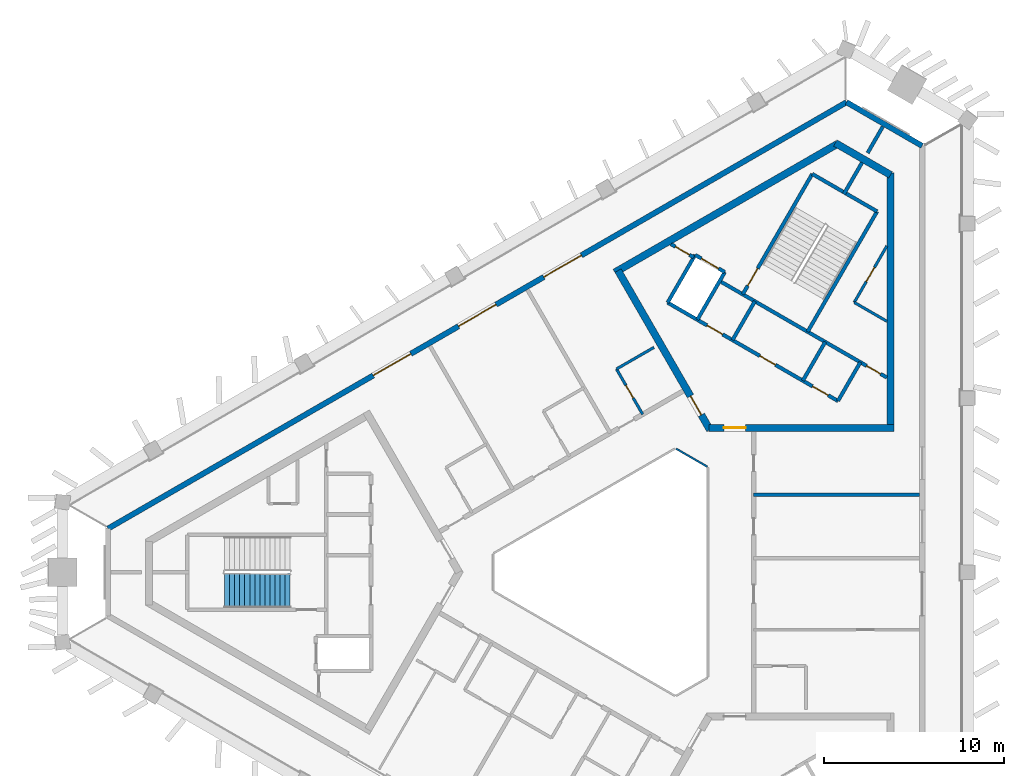
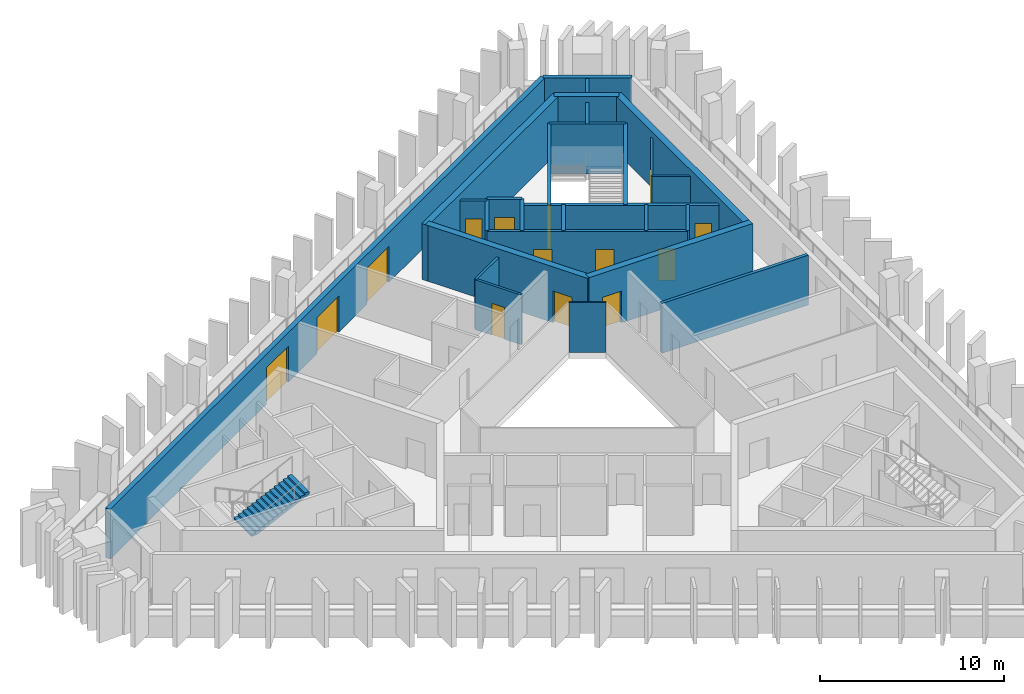
# One storey, part 5 of 9: 27 walls, 14 doors, 1 stair flight, 14 openings, 1 element without a shape of its own.
"""IFC4 building model written with IfcOpenShell, lengths in metres."""

from ifc_helpers import new_model, si_unit, direction, frame, frame_2d, origin, place, context, subcontext, project, spatial, polyline, rectangle, outline, extrude, material, layer, layer_set, type_object, element, fill, aggregate, save


model = new_model("IFC4")

# Units and contexts
model_context = context("Model", 3, precision=1e-05, world=origin(), true_north=direction((0.0, 1.0)))
body_context = subcontext(model_context, "Body", "Model", "MODEL_VIEW")
ifc_project = project(units=[si_unit("LENGTHUNIT", "METRE"), si_unit("AREAUNIT", "SQUARE_METRE"), si_unit("VOLUMEUNIT", "CUBIC_METRE"), si_unit("PLANEANGLEUNIT", "RADIAN"), si_unit("MASSUNIT", "GRAM", prefix="KILO")], contexts=[model_context])

# Site, building, storey
site_placement = place(None, origin())
site = spatial("IfcSite", under=ifc_project, at=site_placement, CompositionType="ELEMENT")
building_placement = place(site_placement, origin())
building = spatial("IfcBuilding", under=site, at=building_placement, Name="Jabali Bay Hotel Tower and Convention Centre", CompositionType="ELEMENT")
storey_placement = place(building_placement, frame((0.0, 0.0, 281.199951171875)))
storey = spatial("IfcBuildingStorey", under=building, at=storey_placement, Name="L69", CompositionType="ELEMENT", Elevation=281.199951171875)

# Walls
ifc_material_1 = material(Name="Fire-resistant glazing", Category="glass")
ifc_layer_1 = layer(ifc_material_1, 0.10009765625)
ifc_layer_set_1 = layer_set([ifc_layer_1], Name="Fire-resistant glazing")
wall_type_1 = type_object("IfcWallType", Name="Atrium glazed screen 100", PredefinedType="PARTITIONING", material=ifc_layer_set_1)
wall_1_placement = place(storey_placement, frame((79.530029296875, 85.84619140625, 0.0), z_axis=(0.0, 0.0, 1.0), x_axis=(-0.866041268327, 0.499972520799, 0.0)))
element("IfcWall", 1, at=wall_1_placement, inside=storey, type_object=wall_type_1, Name="Atrium screen 2 L69", PredefinedType="PARTITIONING", context=body_context, shape_type="SweptSolid", body=[
    extrude(rectangle(XDim=2.0, YDim=0.10009765625, at=frame_2d((1.0, 0.0))), origin(), (0.0, 0.0, 1.0), 3.300048828125),
])
ifc_material_2 = material(Name="Concrete C40", Category="concrete")
ifc_layer_2 = layer(ifc_material_2, 0.199951171875)
ifc_layer_set_2 = layer_set([ifc_layer_2], Name="Concrete C40")
wall_type_2 = type_object("IfcWallType", Name="Core partition wall 200", PredefinedType="PARTITIONING", material=ifc_layer_set_2)
wall_2_placement = place(storey_placement, frame((87.090087890625, 100.9404296875, 0.0), z_axis=(0.0, 0.0, 1.0), x_axis=(0.499941815747, 0.866058993873, 0.0)))
element("IfcWall", 2, at=wall_2_placement, inside=storey, type_object=wall_type_2, Name="Core wall 1.4 L69", PredefinedType="PARTITIONING", context=body_context, shape_type="SweptSolid", body=[
    extrude(rectangle(XDim=2.023193359375, YDim=0.199951171875, at=frame_2d((1.01171875, 0.0))), origin(), (0.0, 0.0, 1.0), 3.300048828125),
])

# Wall, opening, door
wall_3_placement = place(storey_placement, frame((78.7802734375, 97.447509765625, 0.0), z_axis=(0.0, 0.0, 1.0), x_axis=(-0.866045896294, 0.499964504253, 0.0)))
wall_3 = element("IfcWall", 3, at=wall_3_placement, inside=storey, type_object=wall_type_2, Name="Core wall 1.11 L69", PredefinedType="PARTITIONING", context=body_context, shape_type="SweptSolid", body=[
    extrude(rectangle(XDim=1.455078125, YDim=0.199951171875, at=frame_2d((0.7275390625, 0.0))), origin(), (0.0, 0.0, 1.0), 3.300048828125),
])
opening_1_placement = place(wall_3_placement, frame((0.277587890625, 0.0, 0.0)))
opening_1 = element("IfcOpeningElement", 4, at=opening_1_placement, cuts=wall_3, Name="Opening D1528", PredefinedType="OPENING", context=body_context, shape_type="SweptSolid", body=[
    extrude(rectangle(XDim=0.89990234375, YDim=2.10009765625, at=frame_2d((0.449951171875, 1.050048828125))), frame((0.0, 0.1103515625, 0.0), z_axis=(0.0, -1.0, 0.0), x_axis=(1.0, 0.0, 0.0)), (0.0, 0.0, 1.0), 0.220947265625),
])
ifc_material_3 = material(Name="Fire-rated steel door", Category="steel")
door_type_1 = type_object("IfcDoorType", Name="Vestibule fire door 900 x 2100", OperationType="NOTDEFINED", PredefinedType="NOTDEFINED", material=ifc_material_3)
door_1_placement = place(opening_1_placement, origin())
door_1 = element("IfcDoor", 5, at=door_1_placement, inside=storey, type_object=door_type_1, Name="Vestibule fire door D1528", OperationType="SINGLE_SWING_LEFT", OverallHeight=2.10009765625, OverallWidth=0.89990234375, PredefinedType="NOTDEFINED", context=body_context, shape_type="SweptSolid", body=[
    extrude(rectangle(XDim=0.89990234375, YDim=2.10009765625, at=frame_2d((0.449951171875, 1.050048828125))), frame((0.0, 0.02490234375, 0.0), z_axis=(0.0, -1.0, 0.0), x_axis=(1.0, 0.0, 0.0)), (0.0, 0.0, 1.0), 0.050048828125),
])
fill(opening_1, door_1)

ifc_material_4 = material(Name="Fire-rated board partition")
ifc_layer_3 = layer(ifc_material_4, 0.14990234375)
ifc_layer_set_3 = layer_set([ifc_layer_3], Name="Fire-rated board partition")
wall_type_3 = type_object("IfcWallType", Name="Core room partition 150", PredefinedType="PARTITIONING", material=ifc_layer_set_3)
wall_4_placement = place(storey_placement, frame((87.671142578125, 94.947021484375, 0.0), z_axis=(0.0, 0.0, 1.0), x_axis=(0.499993116331, 0.866029378036, 0.0)))
wall_4 = element("IfcWall", 6, at=wall_4_placement, inside=storey, type_object=wall_type_3, Name="Core wall 1.1 L69", PredefinedType="PARTITIONING", context=body_context, shape_type="SweptSolid", body=[
    extrude(rectangle(XDim=3.61767578125, YDim=0.14990234375, at=frame_2d((1.808837890625, 0.0))), origin(), (0.0, 0.0, 1.0), 3.300048828125),
])
opening_2_placement = place(wall_4_placement, frame((1.33154296875, 0.0, 0.0)))
opening_2 = element("IfcOpeningElement", 7, at=opening_2_placement, cuts=wall_4, Name="Opening D1531", PredefinedType="OPENING", context=body_context, shape_type="SweptSolid", body=[
    extrude(rectangle(XDim=0.89990234375, YDim=2.10009765625, at=frame_2d((0.449951171875, 1.050048828125))), frame((0.0, 0.08544921875, 0.0), z_axis=(0.0, -1.0, 0.0), x_axis=(1.0, 0.0, 0.0)), (0.0, 0.0, 1.0), 0.1708984375),
])
door_type_2 = type_object("IfcDoorType", Name="Core room door 900 x 2100", OperationType="NOTDEFINED", PredefinedType="NOTDEFINED", material=ifc_material_3)
door_2_placement = place(opening_2_placement, origin())
door_2 = element("IfcDoor", 8, at=door_2_placement, inside=storey, type_object=door_type_2, Name="Core room door D1531", OperationType="SINGLE_SWING_LEFT", OverallHeight=2.10009765625, OverallWidth=0.89990234375, PredefinedType="NOTDEFINED", context=body_context, shape_type="SweptSolid", body=[
    extrude(rectangle(XDim=0.89990234375, YDim=2.10009765625, at=frame_2d((0.449951171875, 1.050048828125))), frame((0.0, 0.02490234375, 0.0), z_axis=(0.0, -1.0, 0.0), x_axis=(1.0, 0.0, 0.0)), (0.0, 0.0, 1.0), 0.050048828125),
])
fill(opening_2, door_2)

# Walls
wall_5_placement = place(storey_placement, frame((89.47998046875, 93.902587890625, 0.0), z_axis=(0.0, 0.0, 1.0), x_axis=(-0.866004557827, 0.500036104519, 0.0)))
element("IfcWall", 9, at=wall_5_placement, inside=storey, type_object=wall_type_3, Name="Core wall 1.13 L69", PredefinedType="PARTITIONING", context=body_context, shape_type="SweptSolid", body=[
    extrude(rectangle(XDim=2.088623046875, YDim=0.14990234375, at=frame_2d((1.04443359375, 0.0))), origin(), (0.0, 0.0, 1.0), 3.300048828125),
])
ifc_layer_4 = layer(ifc_material_2, 0.199951171875)
ifc_layer_set_4 = layer_set([ifc_layer_4], Name="Concrete C40")
wall_type_4 = type_object("IfcWallType", Name="Core stair wall 200", PredefinedType="SOLIDWALL", material=ifc_layer_set_4)
for number, where, z_axis, x_axis, name in (
    (10, (86.769775390625, 89.48583984375, 0.0), (0.0, 0.0, 1.0), (0.499961042966, 0.86604789447, 0.0), "Core wall 1.0 L69"),
    (11, (84.8212890625, 90.61083984375, 0.0), (0.0, 0.0, 1.0), (0.499961042966, 0.86604789447, 0.0), "Core wall 1.2 L69"),
):
    element("IfcWall", number, at=place(storey_placement, frame(where, z_axis=z_axis, x_axis=x_axis)), inside=storey, type_object=wall_type_4, Name=name, PredefinedType="SOLIDWALL", context=body_context, shape_type="SweptSolid", body=[
        extrude(rectangle(XDim=2.480224609375, YDim=0.199951171875, at=frame_2d((1.240234375, 0.0))), origin(), (0.0, 0.0, 1.0), 3.300048828125),
    ])
wall_6_placement = place(storey_placement, frame((85.0869140625, 93.3212890625, 0.0), z_axis=(0.0, 0.0, 1.0), x_axis=(0.500019787375, 0.866013979237, 0.0)))
element("IfcWall", 12, at=wall_6_placement, inside=storey, type_object=wall_type_4, Name="Core wall 1.3 L69", PredefinedType="SOLIDWALL", context=body_context, shape_type="SweptSolid", body=[
    extrude(rectangle(XDim=7.699951171875, YDim=0.199951171875, at=frame_2d((3.85009765625, 0.0))), origin(), (0.0, 0.0, 1.0), 3.300048828125),
])
wall_7_placement = place(storey_placement, frame((80.924072265625, 92.86083984375, 0.0), z_axis=(0.0, 0.0, 1.0), x_axis=(0.499961042966, 0.86604789447, 0.0)))
element("IfcWall", 13, at=wall_7_placement, inside=storey, type_object=wall_type_4, Name="Core wall 1.5 L69", PredefinedType="SOLIDWALL", context=body_context, shape_type="SweptSolid", body=[
    extrude(rectangle(XDim=2.480224609375, YDim=0.199951171875, at=frame_2d((1.240234375, 0.0))), origin(), (0.0, 0.0, 1.0), 3.300048828125),
])

# Wall, opening, door
wall_8_placement = place(storey_placement, frame((81.492919921875, 95.396240234375, 0.0), z_axis=(0.0, 0.0, 1.0), x_axis=(0.500006057782, 0.866021906294, 0.0)))
wall_8 = element("IfcWall", 14, at=wall_8_placement, inside=storey, type_object=wall_type_4, Name="Core wall 1.6 L69", PredefinedType="SOLIDWALL", context=body_context, shape_type="SweptSolid", body=[
    extrude(rectangle(XDim=7.7001953125, YDim=0.199951171875, at=frame_2d((3.85009765625, 0.0))), origin(), (0.0, 0.0, 1.0), 3.300048828125),
])
opening_3_placement = place(wall_8_placement, frame((0.550048828125, 0.0, 0.0)))
opening_3 = element("IfcOpeningElement", 15, at=opening_3_placement, cuts=wall_8, Name="Opening D1530", PredefinedType="OPENING", context=body_context, shape_type="SweptSolid", body=[
    extrude(rectangle(XDim=1.10009765625, YDim=2.10009765625, at=frame_2d((0.550048828125, 1.050048828125))), frame((0.0, 0.1103515625, 0.0), z_axis=(0.0, -1.0, 0.0), x_axis=(1.0, 0.0, 0.0)), (0.0, 0.0, 1.0), 0.220947265625),
])
door_type_3 = type_object("IfcDoorType", Name="Stair fire door 1100 x 2100", OperationType="NOTDEFINED", PredefinedType="NOTDEFINED", material=ifc_material_3)
door_3_placement = place(opening_3_placement, origin())
door_3 = element("IfcDoor", 16, at=door_3_placement, inside=storey, type_object=door_type_3, Name="Stair fire door D1530", OperationType="SINGLE_SWING_RIGHT", OverallHeight=2.10009765625, OverallWidth=1.10009765625, PredefinedType="NOTDEFINED", context=body_context, shape_type="SweptSolid", body=[
    extrude(rectangle(XDim=1.10009765625, YDim=2.10009765625, at=frame_2d((0.550048828125, 1.050048828125))), frame((0.0, 0.02490234375, 0.0), z_axis=(0.0, -1.0, 0.0), x_axis=(1.0, 0.0, 0.0)), (0.0, 0.0, 1.0), 0.050048828125),
])
fill(opening_3, door_3)

# Walls
for number, where, z_axis, x_axis, name in (
    (17, (78.9755859375, 93.98583984375, 0.0), (0.0, 0.0, 1.0), (0.499944174705, 0.866057632134, 0.0), "Core wall 1.7 L69"),
    (18, (77.330078125, 94.93603515625, 0.0), (0.0, 0.0, 1.0), (0.500038867431, 0.8660029625, 0.0), "Core wall 1.8 L69"),
):
    element("IfcWall", number, at=place(storey_placement, frame(where, z_axis=z_axis, x_axis=x_axis)), inside=storey, type_object=wall_type_4, Name=name, PredefinedType="SOLIDWALL", context=body_context, shape_type="SweptSolid", body=[
        extrude(rectangle(XDim=3.050048828125, YDim=0.199951171875, at=frame_2d((1.52490234375, 0.0))), origin(), (0.0, 0.0, 1.0), 3.300048828125),
    ])

# Wall, openings, doors
wall_9_placement = place(storey_placement, frame((86.769775390625, 89.48583984375, 0.0), z_axis=(0.0, 0.0, 1.0), x_axis=(-0.86601811187, 0.500012629753, 0.0)))
wall_9 = element("IfcWall", 19, at=wall_9_placement, inside=storey, type_object=wall_type_4, Name="Core wall 1.9 L69", PredefinedType="SOLIDWALL", context=body_context, shape_type="SweptSolid", body=[
    extrude(rectangle(XDim=10.900146484375, YDim=0.199951171875, at=frame_2d((5.4501953125, 0.0))), origin(), (0.0, 0.0, 1.0), 3.300048828125),
])
opening_4_placement = place(wall_9_placement, frame((0.625, 0.0, 0.0)))
opening_4 = element("IfcOpeningElement", 20, at=opening_4_placement, cuts=wall_9, Name="Opening D1525", PredefinedType="OPENING", context=body_context, shape_type="SweptSolid", body=[
    extrude(rectangle(XDim=1.0, YDim=2.10009765625, at=frame_2d((0.5, 1.050048828125))), frame((0.0, 0.1103515625, 0.0), z_axis=(0.0, -1.0, 0.0), x_axis=(1.0, 0.0, 0.0)), (0.0, 0.0, 1.0), 0.220947265625),
])
opening_5_placement = place(wall_9_placement, frame((4.0, 0.0, 0.0)))
opening_5 = element("IfcOpeningElement", 21, at=opening_5_placement, cuts=wall_9, Name="Opening D1526", PredefinedType="OPENING", context=body_context, shape_type="SweptSolid", body=[
    extrude(rectangle(XDim=1.0, YDim=2.10009765625, at=frame_2d((0.5, 1.050048828125))), frame((0.0, 0.1103515625, 0.0), z_axis=(0.0, -1.0, 0.0), x_axis=(1.0, 0.0, 0.0)), (0.0, 0.0, 1.0), 0.220947265625),
])
opening_6_placement = place(wall_9_placement, frame((7.375, 0.0, 0.0)))
opening_6 = element("IfcOpeningElement", 22, at=opening_6_placement, cuts=wall_9, Name="Opening D1527", PredefinedType="OPENING", context=body_context, shape_type="SweptSolid", body=[
    extrude(rectangle(XDim=1.0, YDim=2.10009765625, at=frame_2d((0.5, 1.050048828125))), frame((0.0, 0.1103515625, 0.0), z_axis=(0.0, -1.0, 0.0), x_axis=(1.0, 0.0, 0.0)), (0.0, 0.0, 1.0), 0.220947265625),
])
door_type_4 = type_object("IfcDoorType", Name="Core room door 1000 x 2100", OperationType="NOTDEFINED", PredefinedType="NOTDEFINED", material=ifc_material_3)
door_4_placement = place(opening_4_placement, origin())
door_4 = element("IfcDoor", 23, at=door_4_placement, inside=storey, type_object=door_type_4, Name="Core room door D1525", OperationType="SINGLE_SWING_RIGHT", OverallHeight=2.10009765625, OverallWidth=1.0, PredefinedType="NOTDEFINED", context=body_context, shape_type="SweptSolid", body=[
    extrude(rectangle(XDim=1.0, YDim=2.10009765625, at=frame_2d((0.5, 1.050048828125))), frame((0.0, 0.02490234375, 0.0), z_axis=(0.0, -1.0, 0.0), x_axis=(1.0, 0.0, 0.0)), (0.0, 0.0, 1.0), 0.050048828125),
])
fill(opening_4, door_4)
door_5_placement = place(opening_5_placement, origin())
door_5 = element("IfcDoor", 24, at=door_5_placement, inside=storey, type_object=door_type_4, Name="Core room door D1526", OperationType="SINGLE_SWING_RIGHT", OverallHeight=2.10009765625, OverallWidth=1.0, PredefinedType="NOTDEFINED", context=body_context, shape_type="SweptSolid", body=[
    extrude(rectangle(XDim=1.0, YDim=2.10009765625, at=frame_2d((0.5, 1.050048828125))), frame((0.0, 0.02490234375, 0.0), z_axis=(0.0, -1.0, 0.0), x_axis=(1.0, 0.0, 0.0)), (0.0, 0.0, 1.0), 0.050048828125),
])
fill(opening_5, door_5)
door_6_placement = place(opening_6_placement, origin())
door_6 = element("IfcDoor", 25, at=door_6_placement, inside=storey, type_object=door_type_4, Name="Core room door D1527", OperationType="SINGLE_SWING_RIGHT", OverallHeight=2.10009765625, OverallWidth=1.0, PredefinedType="NOTDEFINED", context=body_context, shape_type="SweptSolid", body=[
    extrude(rectangle(XDim=1.0, YDim=2.10009765625, at=frame_2d((0.5, 1.050048828125))), frame((0.0, 0.02490234375, 0.0), z_axis=(0.0, -1.0, 0.0), x_axis=(1.0, 0.0, 0.0)), (0.0, 0.0, 1.0), 0.050048828125),
])
fill(opening_6, door_6)

# Wall, opening, door
wall_10_placement = place(storey_placement, frame((89.47998046875, 90.784912109375, 0.0), z_axis=(0.0, 0.0, 1.0), x_axis=(-0.866022544512, 0.500004952373, 0.0)))
wall_10 = element("IfcWall", 26, at=wall_10_placement, inside=storey, type_object=wall_type_4, Name="Core wall 1.10 L69", PredefinedType="SOLIDWALL", context=body_context, shape_type="SweptSolid", body=[
    extrude(rectangle(XDim=10.69775390625, YDim=0.199951171875, at=frame_2d((5.348876953125, 0.0))), origin(), (0.0, 0.0, 1.0), 3.300048828125),
])
opening_7_placement = place(wall_10_placement, frame((0.398681640625, 0.0, 0.0)))
opening_7 = element("IfcOpeningElement", 27, at=opening_7_placement, cuts=wall_10, Name="Opening D1529", PredefinedType="OPENING", context=body_context, shape_type="SweptSolid", body=[
    extrude(rectangle(XDim=0.89990234375, YDim=2.10009765625, at=frame_2d((0.449951171875, 1.050048828125))), frame((0.0, 0.1103515625, 0.0), z_axis=(0.0, -1.0, 0.0), x_axis=(1.0, 0.0, 0.0)), (0.0, 0.0, 1.0), 0.220947265625),
])
door_7_placement = place(opening_7_placement, origin())
door_7 = element("IfcDoor", 28, at=door_7_placement, inside=storey, type_object=door_type_1, Name="Vestibule fire door D1529", OperationType="SINGLE_SWING_LEFT", OverallHeight=2.10009765625, OverallWidth=0.89990234375, PredefinedType="NOTDEFINED", context=body_context, shape_type="SweptSolid", body=[
    extrude(rectangle(XDim=0.89990234375, YDim=2.10009765625, at=frame_2d((0.449951171875, 1.050048828125))), frame((0.0, 0.02490234375, 0.0), z_axis=(0.0, -1.0, 0.0), x_axis=(1.0, 0.0, 0.0)), (0.0, 0.0, 1.0), 0.050048828125),
])
fill(opening_7, door_7)

wall_11_placement = place(storey_placement, frame((80.50048828125, 96.62744140625, 0.0), z_axis=(0.0, 0.0, 1.0), x_axis=(-0.86601224135, 0.500022797313, 0.0)))
wall_11 = element("IfcWall", 29, at=wall_11_placement, inside=storey, type_object=wall_type_4, Name="Core wall 1.12 L69", PredefinedType="SOLIDWALL", context=body_context, shape_type="SweptSolid", body=[
    extrude(rectangle(XDim=1.89990234375, YDim=0.199951171875, at=frame_2d((0.949951171875, 0.0))), origin(), (0.0, 0.0, 1.0), 3.300048828125),
])
opening_8_placement = place(wall_11_placement, frame((0.39990234375, 0.0, 0.0)))
opening_8 = element("IfcOpeningElement", 30, at=opening_8_placement, cuts=wall_11, Name="Opening LD10-L69", PredefinedType="OPENING", context=body_context, shape_type="SweptSolid", body=[
    extrude(rectangle(XDim=1.10009765625, YDim=2.10009765625, at=frame_2d((0.550048828125, 1.050048828125))), frame((0.0, 0.1103515625, 0.0), z_axis=(0.0, -1.0, 0.0), x_axis=(1.0, 0.0, 0.0)), (0.0, 0.0, 1.0), 0.220947265625),
])
ifc_material_5 = material(Name="Stainless steel landing door", Category="steel")
door_type_5 = type_object("IfcDoorType", Name="Landing door 1100 x 2100", OperationType="NOTDEFINED", PredefinedType="NOTDEFINED", material=ifc_material_5)
door_8_placement = place(opening_8_placement, origin())
door_8 = element("IfcDoor", 31, at=door_8_placement, inside=storey, type_object=door_type_5, Name="Landing doors LD10-L69", OperationType="SLIDING_TO_RIGHT", OverallHeight=2.10009765625, OverallWidth=1.10009765625, PredefinedType="NOTDEFINED", context=body_context, shape_type="SweptSolid", body=[
    extrude(rectangle(XDim=1.10009765625, YDim=2.10009765625, at=frame_2d((0.550048828125, 1.050048828125))), frame((0.0, 0.02490234375, 0.0), z_axis=(0.0, -1.0, 0.0), x_axis=(1.0, 0.0, 0.0)), (0.0, 0.0, 1.0), 0.050048828125),
])
fill(opening_8, door_8)

# Wall
wall_12_placement = place(storey_placement, frame((88.93701171875, 99.989501953125, 0.0), z_axis=(0.0, 0.0, 1.0), x_axis=(-0.866004344652, 0.500036473714, 0.0)))
element("IfcWall", 32, at=wall_12_placement, inside=storey, type_object=wall_type_4, Name="Core wall 1.14 L69", PredefinedType="SOLIDWALL", context=body_context, shape_type="SweptSolid", body=[
    extrude(rectangle(XDim=4.150146484375, YDim=0.199951171875, at=frame_2d((2.0751953125, 0.0))), origin(), (0.0, 0.0, 1.0), 3.300048828125),
])

# Wall, opening, door
ifc_material_6 = material(Name="Concrete C60", Category="concrete")
ifc_layer_5 = layer(ifc_material_6, 0.39990234375)
ifc_layer_set_5 = layer_set([ifc_layer_5], Name="Concrete C60")
wall_type_5 = type_object("IfcWallType", Name="Core wall 400", PredefinedType="SHEAR", material=ifc_layer_set_5)
wall_13_placement = place(storey_placement, frame((79.615478515625, 87.994140625, 0.0), z_axis=(0.0, 0.0, 1.0), x_axis=(1.0, 0.0, 0.0)))
wall_13 = element("IfcWall", 33, at=wall_13_placement, inside=storey, type_object=wall_type_5, Name="Core wall 2.1 L69", PredefinedType="SHEAR", context=body_context, shape_type="SweptSolid", body=[
    extrude(rectangle(XDim=10.264404296875, YDim=0.39990234375, at=frame_2d((5.13232421875, 0.0))), origin(), (0.0, 0.0, 1.0), 3.699951171875),
])
opening_9_placement = place(wall_13_placement, frame((0.83447265625, 0.0, 0.0)))
opening_9 = element("IfcOpeningElement", 34, at=opening_9_placement, cuts=wall_13, Name="Opening D1523", PredefinedType="OPENING", context=body_context, shape_type="SweptSolid", body=[
    extrude(rectangle(XDim=1.199951171875, YDim=2.10009765625, at=frame_2d((0.60009765625, 1.050048828125))), frame((0.0, 0.21044921875, 0.0), z_axis=(0.0, -1.0, 0.0), x_axis=(1.0, 0.0, 0.0)), (0.0, 0.0, 1.0), 0.4208984375),
])
door_type_6 = type_object("IfcDoorType", Name="Corridor end fire door 1200 x 2100", OperationType="NOTDEFINED", PredefinedType="NOTDEFINED", material=ifc_material_3)
door_9_placement = place(opening_9_placement, origin())
door_9 = element("IfcDoor", 35, at=door_9_placement, inside=storey, type_object=door_type_6, Name="Corridor end fire door D1523", OperationType="SINGLE_SWING_RIGHT", OverallHeight=2.10009765625, OverallWidth=1.199951171875, PredefinedType="NOTDEFINED", context=body_context, shape_type="SweptSolid", body=[
    extrude(rectangle(XDim=1.199951171875, YDim=2.10009765625, at=frame_2d((0.60009765625, 1.050048828125))), frame((0.0, 0.02490234375, 0.0), z_axis=(0.0, -1.0, 0.0), x_axis=(1.0, 0.0, 0.0)), (0.0, 0.0, 1.0), 0.050048828125),
])
fill(opening_9, door_9)

# Walls
wall_14_placement = place(storey_placement, frame((89.679931640625, 87.994140625, 0.0), z_axis=(0.0, 0.0, 1.0), x_axis=(0.0, 1.0, 0.0)))
element("IfcWall", 36, at=wall_14_placement, inside=storey, type_object=wall_type_5, Name="Core wall 2.2 L69", PredefinedType="SHEAR", context=body_context, shape_type="SweptSolid", body=[
    extrude(rectangle(XDim=14.133544921875, YDim=0.39990234375, at=frame_2d((7.06689453125, 0.0))), origin(), (0.0, 0.0, 1.0), 3.699951171875),
])
wall_15_placement = place(storey_placement, frame((89.679931640625, 102.01220703125, 0.0), z_axis=(0.0, 0.0, 1.0), x_axis=(-0.866025485263, 0.499999858875, 0.0)))
element("IfcWall", 37, at=wall_15_placement, inside=storey, type_object=wall_type_5, Name="Core wall 2.3 L69", PredefinedType="SHEAR", context=body_context, shape_type="SweptSolid", body=[
    extrude(rectangle(XDim=3.52978515625, YDim=0.39990234375, at=frame_2d((1.764892578125, 0.0))), origin(), (0.0, 0.0, 1.0), 3.699951171875),
])
wall_16_placement = place(storey_placement, frame((86.72314453125, 103.71923828125, 0.0), z_axis=(0.0, 0.0, 1.0), x_axis=(-0.866030317223, -0.499991489579, 0.0)))
element("IfcWall", 38, at=wall_16_placement, inside=storey, type_object=wall_type_5, Name="Core wall 2.4 L69", PredefinedType="SHEAR", context=body_context, shape_type="SweptSolid", body=[
    extrude(rectangle(XDim=14.218017578125, YDim=0.39990234375, at=frame_2d((7.10888671875, 0.0))), origin(), (0.0, 0.0, 1.0), 3.699951171875),
])

# Wall, opening, door
wall_17_placement = place(storey_placement, frame((74.583251953125, 96.71044921875, 0.0), z_axis=(0.0, 0.0, 1.0), x_axis=(0.499987488796, -0.866032627011, 0.0)))
wall_17 = element("IfcWall", 39, at=wall_17_placement, inside=storey, type_object=wall_type_5, Name="Core wall 2.5 L69", PredefinedType="SHEAR", context=body_context, shape_type="SweptSolid", body=[
    extrude(rectangle(XDim=10.179931640625, YDim=0.39990234375, at=frame_2d((5.08984375, 0.0))), origin(), (0.0, 0.0, 1.0), 3.699951171875),
])
opening_10_placement = place(wall_17_placement, frame((8.030029296875, 0.0, 0.0)))
opening_10 = element("IfcOpeningElement", 40, at=opening_10_placement, cuts=wall_17, Name="Opening D1524", PredefinedType="OPENING", context=body_context, shape_type="SweptSolid", body=[
    extrude(rectangle(XDim=1.199951171875, YDim=2.10009765625, at=frame_2d((0.60009765625, 1.050048828125))), frame((0.0, 0.21044921875, 0.0), z_axis=(0.0, -1.0, 0.0), x_axis=(1.0, 0.0, 0.0)), (0.0, 0.0, 1.0), 0.4208984375),
])
door_10_placement = place(opening_10_placement, origin())
door_10 = element("IfcDoor", 41, at=door_10_placement, inside=storey, type_object=door_type_6, Name="Corridor end fire door D1524", OperationType="SINGLE_SWING_LEFT", OverallHeight=2.10009765625, OverallWidth=1.199951171875, PredefinedType="NOTDEFINED", context=body_context, shape_type="SweptSolid", body=[
    extrude(rectangle(XDim=1.199951171875, YDim=2.10009765625, at=frame_2d((0.60009765625, 1.050048828125))), frame((0.0, 0.02490234375, 0.0), z_axis=(0.0, -1.0, 0.0), x_axis=(1.0, 0.0, 0.0)), (0.0, 0.0, 1.0), 0.050048828125),
])
fill(opening_10, door_10)

# Wall
ifc_layer_6 = layer(ifc_material_2, 0.300048828125)
ifc_layer_set_6 = layer_set([ifc_layer_6], Name="Concrete C40")
wall_type_6 = type_object("IfcWallType", Name="External wall 300", PredefinedType="SOLIDWALL", material=ifc_layer_set_6)
wall_18_placement = place(storey_placement, frame((87.243408203125, 106.038818359375, 0.0), z_axis=(0.0, 0.0, 1.0), x_axis=(0.866024054344, -0.500002337291, 0.0)))
element("IfcWall", 42, at=wall_18_placement, inside=storey, type_object=wall_type_6, Name="External wall north-east chamfer L69", PredefinedType="SOLIDWALL", context=body_context, shape_type="SweptSolid", body=[
    extrude(rectangle(XDim=4.83251953125, YDim=0.300048828125, at=frame_2d((2.416259765625, 0.0))), origin(), (0.0, 0.0, 1.0), 3.300048828125),
])

# Wall, openings, doors
wall_19_placement = place(storey_placement, frame((46.328125, 82.416259765625, 0.0), z_axis=(0.0, 0.0, 1.0), x_axis=(0.866024406396, 0.500001727524, 0.0)))
wall_19 = element("IfcWall", 43, at=wall_19_placement, inside=storey, type_object=wall_type_6, Name="External wall north-west face L69", PredefinedType="SOLIDWALL", context=body_context, shape_type="SweptSolid", body=[
    extrude(rectangle(XDim=47.244873046875, YDim=0.300048828125, at=frame_2d((23.62255859375, 0.0))), origin(), (0.0, 0.0, 1.0), 3.300048828125),
])
opening_11_placement = place(wall_19_placement, frame((16.966552734375, 0.0, 0.0)))
opening_11 = element("IfcOpeningElement", 44, at=opening_11_placement, cuts=wall_19, Name="Opening SD1", PredefinedType="OPENING", context=body_context, shape_type="SweptSolid", body=[
    extrude(rectangle(XDim=2.39990234375, YDim=2.39990234375, at=frame_2d((1.199951171875, 1.199951171875))), frame((0.0, 0.16064453125, 0.0), z_axis=(0.0, -1.0, 0.0), x_axis=(1.0, 0.0, 0.0)), (0.0, 0.0, 1.0), 0.321044921875),
])
opening_12_placement = place(wall_19_placement, frame((27.87841796875, 0.0, 0.0)))
opening_12 = element("IfcOpeningElement", 45, at=opening_12_placement, cuts=wall_19, Name="Opening SD1", PredefinedType="OPENING", context=body_context, shape_type="SweptSolid", body=[
    extrude(rectangle(XDim=2.39990234375, YDim=2.39990234375, at=frame_2d((1.199951171875, 1.199951171875))), frame((0.0, 0.16064453125, 0.0), z_axis=(0.0, -1.0, 0.0), x_axis=(1.0, 0.0, 0.0)), (0.0, 0.0, 1.0), 0.321044921875),
])
opening_13_placement = place(wall_19_placement, frame((22.42236328125, 0.0, 0.0)))
opening_13 = element("IfcOpeningElement", 46, at=opening_13_placement, cuts=wall_19, Name="Opening SD1", PredefinedType="OPENING", context=body_context, shape_type="SweptSolid", body=[
    extrude(rectangle(XDim=2.39990234375, YDim=2.39990234375, at=frame_2d((1.199951171875, 1.199951171875))), frame((0.0, 0.16064453125, 0.0), z_axis=(0.0, -1.0, 0.0), x_axis=(1.0, 0.0, 0.0)), (0.0, 0.0, 1.0), 0.321044921875),
])
ifc_material_7 = material(Name="Glass", Category="glass")
door_type_7 = type_object("IfcDoorType", Name="Loggia sliding door 2400 x 2400", OperationType="NOTDEFINED", PredefinedType="NOTDEFINED", material=ifc_material_7)
door_11_placement = place(opening_11_placement, origin())
door_11 = element("IfcDoor", 47, at=door_11_placement, inside=storey, type_object=door_type_7, Name="Loggia sliding door 6906", OperationType="SLIDING_TO_LEFT", OverallHeight=2.39990234375, OverallWidth=2.39990234375, PredefinedType="NOTDEFINED", context=body_context, shape_type="SweptSolid", body=[
    extrude(rectangle(XDim=2.39990234375, YDim=2.39990234375, at=frame_2d((1.199951171875, 1.199951171875))), frame((0.0, 0.02490234375, 0.0), z_axis=(0.0, -1.0, 0.0), x_axis=(1.0, 0.0, 0.0)), (0.0, 0.0, 1.0), 0.050048828125),
])
fill(opening_11, door_11)
door_12_placement = place(opening_12_placement, origin())
door_12 = element("IfcDoor", 48, at=door_12_placement, inside=storey, type_object=door_type_7, Name="Loggia sliding door 6904", OperationType="SLIDING_TO_RIGHT", OverallHeight=2.39990234375, OverallWidth=2.39990234375, PredefinedType="NOTDEFINED", context=body_context, shape_type="SweptSolid", body=[
    extrude(rectangle(XDim=2.39990234375, YDim=2.39990234375, at=frame_2d((1.199951171875, 1.199951171875))), frame((0.0, 0.02490234375, 0.0), z_axis=(0.0, -1.0, 0.0), x_axis=(1.0, 0.0, 0.0)), (0.0, 0.0, 1.0), 0.050048828125),
])
fill(opening_12, door_12)
door_13_placement = place(opening_13_placement, origin())
door_13 = element("IfcDoor", 49, at=door_13_placement, inside=storey, type_object=door_type_7, Name="Loggia sliding door 6905", OperationType="SLIDING_TO_LEFT", OverallHeight=2.39990234375, OverallWidth=2.39990234375, PredefinedType="NOTDEFINED", context=body_context, shape_type="SweptSolid", body=[
    extrude(rectangle(XDim=2.39990234375, YDim=2.39990234375, at=frame_2d((1.199951171875, 1.199951171875))), frame((0.0, 0.02490234375, 0.0), z_axis=(0.0, -1.0, 0.0), x_axis=(1.0, 0.0, 0.0)), (0.0, 0.0, 1.0), 0.050048828125),
])
fill(opening_13, door_13)

# Wall, opening, door
ifc_material_8 = material(Name="Plasterboard on steel stud", Category="steel")
ifc_layer_7 = layer(ifc_material_8, 0.14990234375)
ifc_layer_set_7 = layer_set([ifc_layer_7], Name="Plasterboard on steel stud")
wall_type_7 = type_object("IfcWallType", Name="Partition 150 wet", PredefinedType="PARTITIONING", material=ifc_layer_set_7)
wall_20_placement = place(storey_placement, frame((75.9482421875, 88.745849609375, 0.0), z_axis=(0.0, 0.0, 1.0), x_axis=(-0.499987231761, 0.866032775405, 0.0)))
wall_20 = element("IfcWall", 50, at=wall_20_placement, inside=storey, type_object=wall_type_7, Name="Partition P03 L69 008", PredefinedType="PARTITIONING", context=body_context, shape_type="SweptSolid", body=[
    extrude(rectangle(XDim=2.89990234375, YDim=0.14990234375, at=frame_2d((1.449951171875, 0.0))), origin(), (0.0, 0.0, 1.0), 3.300048828125),
])
opening_14_placement = place(wall_20_placement, frame((1.050048828125, 0.0, 0.0)))
opening_14 = element("IfcOpeningElement", 51, at=opening_14_placement, cuts=wall_20, Name="Opening 6906", PredefinedType="OPENING", context=body_context, shape_type="SweptSolid", body=[
    extrude(rectangle(XDim=0.800048828125, YDim=2.10009765625, at=frame_2d((0.39990234375, 1.050048828125))), frame((0.0, 0.08544921875, 0.0), z_axis=(0.0, -1.0, 0.0), x_axis=(1.0, 0.0, 0.0)), (0.0, 0.0, 1.0), 0.1708984375),
])
ifc_material_9 = material(Name="Timber", Category="wood")
door_type_8 = type_object("IfcDoorType", Name="En-suite door 800 x 2100", OperationType="NOTDEFINED", PredefinedType="NOTDEFINED", material=ifc_material_9)
door_14_placement = place(opening_14_placement, origin())
door_14 = element("IfcDoor", 52, at=door_14_placement, inside=storey, type_object=door_type_8, Name="Door 6906", OperationType="SINGLE_SWING_RIGHT", OverallHeight=2.10009765625, OverallWidth=0.800048828125, PredefinedType="NOTDEFINED", context=body_context, shape_type="SweptSolid", body=[
    extrude(rectangle(XDim=0.800048828125, YDim=2.10009765625, at=frame_2d((0.39990234375, 1.050048828125))), frame((0.0, 0.02490234375, 0.0), z_axis=(0.0, -1.0, 0.0), x_axis=(1.0, 0.0, 0.0)), (0.0, 0.0, 1.0), 0.050048828125),
])
fill(opening_14, door_14)

# Walls
wall_21_placement = place(storey_placement, frame((74.498291015625, 91.25732421875, 0.0), z_axis=(0.0, 0.0, 1.0), x_axis=(0.866038271014, 0.499977712642, 0.0)))
element("IfcWall", 53, at=wall_21_placement, inside=storey, type_object=wall_type_7, Name="Partition P03 L69 009", PredefinedType="PARTITIONING", context=body_context, shape_type="SweptSolid", body=[
    extrude(rectangle(XDim=2.40087890625, YDim=0.14990234375, at=frame_2d((1.200439453125, 0.0))), origin(), (0.0, 0.0, 1.0), 3.300048828125),
])
ifc_layer_8 = layer(ifc_material_8, 0.199951171875)
ifc_layer_set_8 = layer_set([ifc_layer_8], Name="Plasterboard on steel stud")
wall_type_8 = type_object("IfcWallType", Name="Partition 200 party", PredefinedType="PARTITIONING", material=ifc_layer_set_8)
wall_22_placement = place(storey_placement, frame((91.279541015625, 84.286865234375, 0.0), z_axis=(0.0, 0.0, 1.0), x_axis=(-1.0, 0.0, 0.0)))
element("IfcWall", 54, at=wall_22_placement, inside=storey, type_object=wall_type_8, Name="Partition P01 L69 006", PredefinedType="PARTITIONING", context=body_context, shape_type="SweptSolid", body=[
    extrude(rectangle(XDim=9.179443359375, YDim=0.199951171875, at=frame_2d((4.58984375, 0.0))), origin(), (0.0, 0.0, 1.0), 3.300048828125),
])
wall_23_placement = place(storey_placement, frame((89.251708984375, 104.682861328125, 0.0), z_axis=(0.0, 0.0, 1.0), x_axis=(-0.499986818241, -0.866033014143, 0.0)))
element("IfcWall", 55, at=wall_23_placement, inside=storey, type_object=wall_type_8, Name="Partition P01 L69 007", PredefinedType="PARTITIONING", context=body_context, shape_type="SweptSolid", body=[
    extrude(rectangle(XDim=1.6787109375, YDim=0.199951171875, at=frame_2d((0.83935546875, 0.0))), origin(), (0.0, 0.0, 1.0), 3.300048828125),
])

# Stair, stair flight
stair_type = type_object("IfcStairType", Name="Exit stair 1900", PredefinedType="HALF_TURN_STAIR", material=ifc_material_2)
stair_placement = place(storey_placement, origin())
stair = element("IfcStair", 56, at=stair_placement, inside=storey, type_object=stair_type, Name="L69 Exit Stair 1", PredefinedType="HALF_TURN_STAIR")
stair_flight_type = type_object("IfcStairFlightType", Name="Stair flight concrete 150", PredefinedType="STRAIGHT", material=ifc_material_2)
stair_flight_placement = place(storey_placement, frame((52.780029296875, 78.97509765625, 1.85009765625), z_axis=(0.0, 0.0, 1.0), x_axis=(1.0, 0.0, 0.0)))
stair_flight = element("IfcStairFlight", 57, at=stair_flight_placement, type_object=stair_flight_type, Name="ST1 flight 2", NumberOfRisers=14, NumberOfTreads=13, PredefinedType="STRAIGHT", RiserHeight=0.132142857, TreadLength=0.28, context=body_context, shape_type="SweptSolid", body=[
    extrude(outline(polyline([(0.0, 0.0), (0.0, 0.132080078125), (0.280029296875, 0.132080078125), (0.280029296875, 0.264404296875), (0.56005859375, 0.264404296875), (0.56005859375, 0.396484375), (0.840087890625, 0.396484375), (0.840087890625, 0.528564453125), (1.1201171875, 0.528564453125), (1.1201171875, 0.66064453125), (1.39990234375, 0.66064453125), (1.39990234375, 0.79296875), (1.679931640625, 0.79296875), (1.679931640625, 0.925048828125), (1.9599609375, 0.925048828125), (1.9599609375, 1.05712890625), (2.239990234375, 1.05712890625), (2.239990234375, 1.189208984375), (2.52001953125, 1.189208984375), (2.52001953125, 1.321533203125), (2.800048828125, 1.321533203125), (2.800048828125, 1.45361328125), (3.080078125, 1.45361328125), (3.080078125, 1.585693359375), (3.360107421875, 1.585693359375), (3.360107421875, 1.7177734375), (3.639892578125, 1.7177734375), (3.639892578125, 1.85009765625), (3.639892578125, 1.552001953125), (0.351318359375, 0.0), (0.0, 0.0)])), frame((0.0, 0.949951171875, 0.0), z_axis=(0.0, -1.0, 0.0), x_axis=(1.0, 0.0, 0.0)), (0.0, 0.0, 1.0), 1.89990234375),
])
aggregate(stair, [stair_flight])

save(model, "model.ifc")
